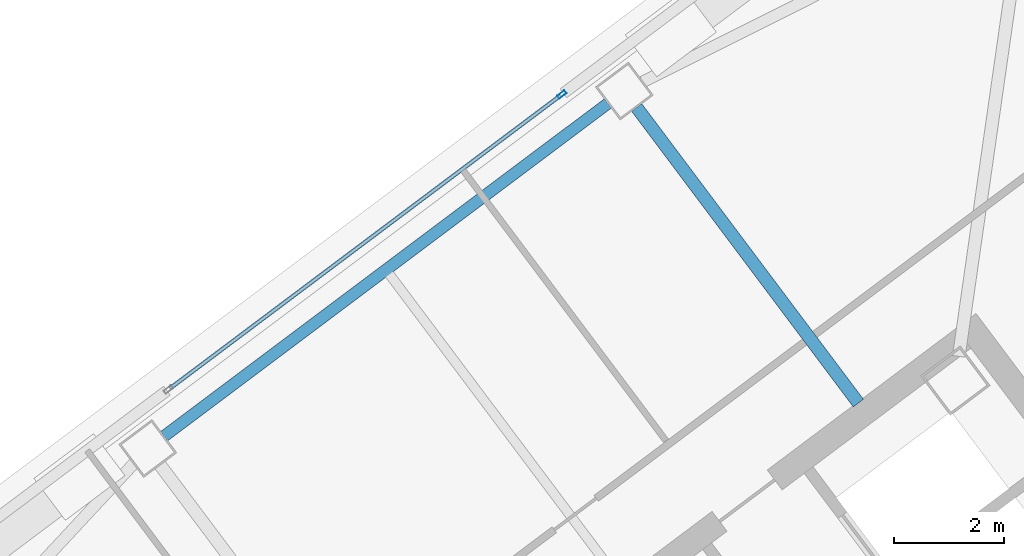
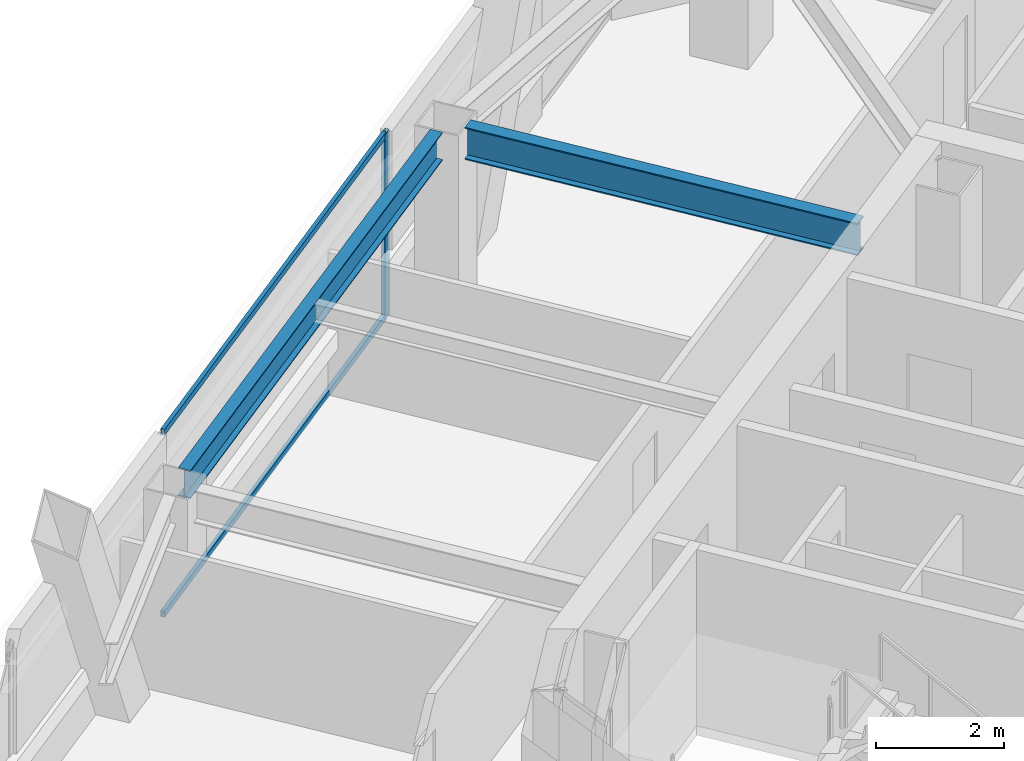
# One storey, part 40 of 56: 3 members, 2 beams, 1 element without a shape of its own.
"""IFC4 building model written with IfcOpenShell, lengths in metres."""

from ifc_helpers import new_model, si_unit, direction, frame, origin, origin_2d, place, context, subcontext, project, spatial, hollow_rectangle, i_section, extrude, material, material_profile, profile_set, type_object, element, aggregate, save


model = new_model("IFC4")

# Units and contexts
model_context = context("Model", 3, precision=1e-05, world=origin(), true_north=direction((0.0, 1.0)))
body_context = subcontext(model_context, "Body", "Model", "MODEL_VIEW")
ifc_project = project(units=[si_unit("LENGTHUNIT", "METRE"), si_unit("AREAUNIT", "SQUARE_METRE"), si_unit("VOLUMEUNIT", "CUBIC_METRE"), si_unit("PLANEANGLEUNIT", "RADIAN"), si_unit("MASSUNIT", "GRAM", prefix="KILO")], contexts=[model_context])

# Site, building, storey
site_placement = place(None, origin())
site = spatial("IfcSite", under=ifc_project, at=site_placement, CompositionType="ELEMENT")
building_placement = place(site_placement, origin())
building = spatial("IfcBuilding", under=site, at=building_placement, Name="Tashvorn Skyway Center", CompositionType="ELEMENT")
storey_placement = place(building_placement, frame((0.0, 0.0, 218.39990234375)))
storey = spatial("IfcBuildingStorey", under=building, at=storey_placement, Name="L59", CompositionType="ELEMENT", Elevation=218.39990234375)

# Beams
ifc_material_1 = material(Name="Steel ASTM A992 Grade 50", Category="steel")
ifc_material_profile_1 = material_profile(ifc_material_1, i_section(OverallWidth=0.22998046875, OverallDepth=0.616943359375, WebThickness=0.01318359375, FlangeThickness=0.022216796875, at=origin_2d()), Name="W24X94")
ifc_profile_set_1 = profile_set([ifc_material_profile_1], Name="Steel ASTM A992 Grade 50")
beam_type_1 = type_object("IfcBeamType", Name="BM-BEAM-W24X94", PredefinedType="BEAM", material=ifc_profile_set_1)
beam_1_placement = place(storey_placement, frame((109.632080078125, 46.823974609375, 3.0615234375), z_axis=(0.600011660554, -0.799991254452, 0.0), x_axis=(0.799991254452, 0.600011660554, 0.0)))
element("IfcBeam", 1, at=beam_1_placement, inside=storey, type_object=beam_type_1, Name="Tower 2 L59 Primary Floor Girder FC-N1", PredefinedType="BEAM", context=body_context, shape_type="SweptSolid", body=[
    extrude(i_section(OverallWidth=0.22998046875, OverallDepth=0.616943359375, WebThickness=0.01318359375, FlangeThickness=0.022216796875, at=origin_2d()), origin(), (0.0, 0.0, 1.0), 6.699951171875),
])
ifc_material_profile_2 = material_profile(ifc_material_1, i_section(OverallWidth=0.2109375, OverallDepth=0.5390625, WebThickness=0.01171875, FlangeThickness=0.018798828125, at=origin_2d()), Name="W21X73")
ifc_profile_set_2 = profile_set([ifc_material_profile_2], Name="Steel ASTM A992 Grade 50")
beam_type_2 = type_object("IfcBeamType", Name="BM-SPANDREL-W21X73", PredefinedType="SPANDREL", material=ifc_profile_set_2)
beam_2_placement = place(storey_placement, frame((109.114013671875, 46.89794921875, 3.1005859375), z_axis=(-0.800008736549, -0.599988351091, 0.0), x_axis=(0.599988351091, -0.800008736549, 0.0)))
element("IfcBeam", 2, at=beam_2_placement, inside=storey, type_object=beam_type_2, Name="Tower 2 L59 Spandrel Beam 08", PredefinedType="SPANDREL", context=body_context, shape_type="SweptSolid", body=[
    extrude(i_section(OverallWidth=0.2109375, OverallDepth=0.5390625, WebThickness=0.01171875, FlangeThickness=0.018798828125, at=origin_2d()), origin(), (0.0, 0.0, 1.0), 10.06005859375),
])

# Curtain wall, members
ifc_material_2 = material(Name="Thermally broken bronze-anodized aluminium 6063-T6", Category="aluminium")
curtain_wall_type = type_object("IfcCurtainWallType", Name="CW-CW-Z5", PredefinedType="NOTDEFINED", material=ifc_material_2)
curtain_wall_placement = place(storey_placement, origin())
curtain_wall = element("IfcCurtainWall", 3, at=curtain_wall_placement, inside=storey, type_object=curtain_wall_type, Name="Tower 2 L59 North Unitised Curtain Wall Glazing Group 2", PredefinedType="NOTDEFINED")
ifc_material_profile_3 = material_profile(ifc_material_2, hollow_rectangle(XDim=0.070068359375, YDim=0.1650390625, WallThickness=0.00390625, at=origin_2d()), Name="ALU-MULL-70x165")
ifc_profile_set_3 = profile_set([ifc_material_profile_3], Name="Thermally broken bronze-anodized aluminium 6063-T6")
member_type_1 = type_object("IfcMemberType", Name="CWM-CW-Z5", PredefinedType="MULLION", material=ifc_profile_set_3)
member_1_placement = place(storey_placement, frame((108.27880859375, 47.05908203125, 0.0), z_axis=(0.0, 0.0, 1.0), x_axis=(-0.599996439189, 0.800002670596, 0.0)))
member_1 = element("IfcMember", 4, at=member_1_placement, type_object=member_type_1, Name="CW-Z5 mullion 2", PredefinedType="MULLION", context=body_context, shape_type="SweptSolid", body=[
    extrude(hollow_rectangle(XDim=0.070068359375, YDim=0.1650390625, WallThickness=0.00390625, at=origin_2d()), origin(), (0.0, 0.0, 1.0), 3.550048828125),
])
ifc_material_profile_4 = material_profile(ifc_material_2, hollow_rectangle(XDim=0.070068359375, YDim=0.114990234375, WallThickness=0.00390625, at=origin_2d()), Name="ALU-TRAN-70x115")
ifc_profile_set_4 = profile_set([ifc_material_profile_4], Name="Thermally broken bronze-anodized aluminium 6063-T6")
member_type_2 = type_object("IfcMemberType", Name="CWT-CW-Z5", PredefinedType="USERDEFINED", material=ifc_profile_set_4)
member_2_placement = place(storey_placement, frame((101.17333984375, 41.72998046875, 0.03515625), z_axis=(0.799996688401, 0.600004415441, 0.0), x_axis=(-0.600004415441, 0.799996688401, 0.0)))
member_2 = element("IfcMember", 5, at=member_2_placement, type_object=member_type_2, Name="CW-Z5 transom 1.1", ObjectType="TRANSOM", PredefinedType="USERDEFINED", context=body_context, shape_type="SweptSolid", body=[
    extrude(hollow_rectangle(XDim=0.070068359375, YDim=0.114990234375, WallThickness=0.00390625, at=origin_2d()), origin(), (0.0, 0.0, 1.0), 8.8466796875),
])
member_3_placement = place(storey_placement, frame((101.17333984375, 41.72998046875, 3.51513671875), z_axis=(0.799996688401, 0.600004415441, 0.0), x_axis=(-0.600004415441, 0.799996688401, 0.0)))
member_3 = element("IfcMember", 6, at=member_3_placement, type_object=member_type_2, Name="CW-Z5 transom 1.2", ObjectType="TRANSOM", PredefinedType="USERDEFINED", context=body_context, shape_type="SweptSolid", body=[
    extrude(hollow_rectangle(XDim=0.070068359375, YDim=0.114990234375, WallThickness=0.00390625, at=origin_2d()), origin(), (0.0, 0.0, 1.0), 8.8466796875),
])
aggregate(curtain_wall, [member_1, member_2, member_3])

save(model, "model.ifc")
